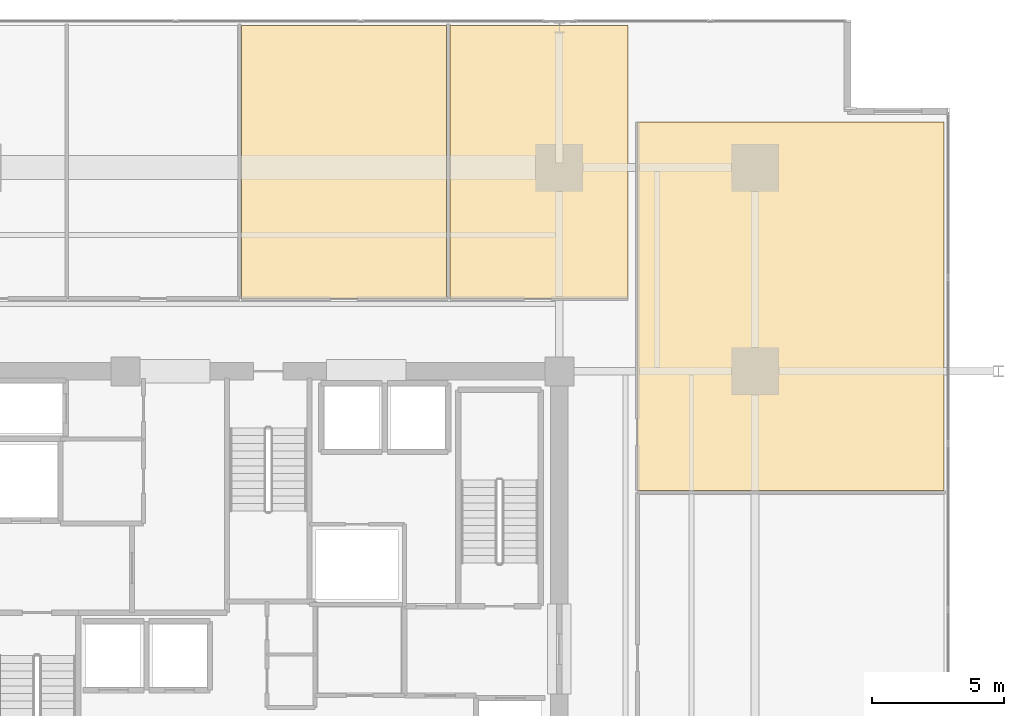
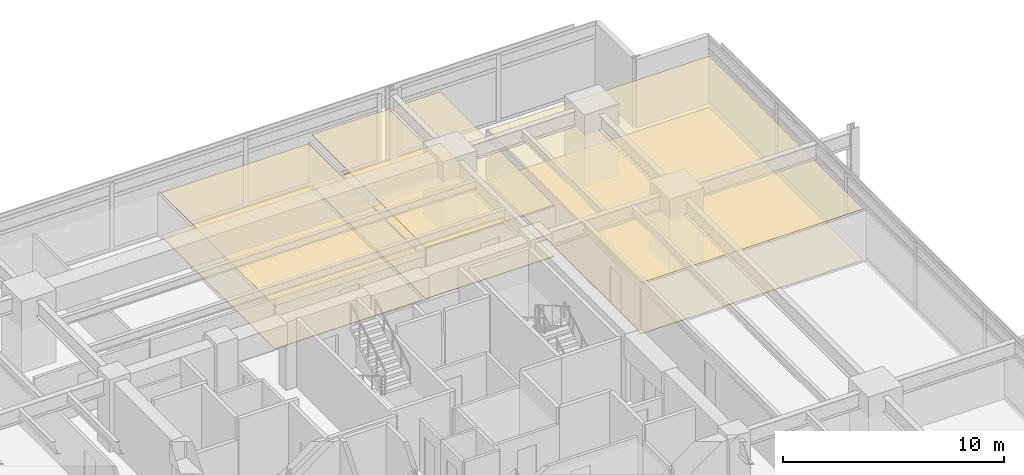
# One storey, part 23 of 23: 6 coverings.
"""IFC4 building model written with IfcOpenShell, lengths in metres."""

from ifc_helpers import new_model, si_unit, direction, frame, origin, place, context, subcontext, project, spatial, polyline, outline, extrude, material, layer, layer_set, type_object, element, save


model = new_model("IFC4")

# Units and contexts
model_context = context("Model", 3, precision=1e-05, world=origin(), true_north=direction((0.0, 1.0)))
body_context = subcontext(model_context, "Body", "Model", "MODEL_VIEW")
ifc_project = project(units=[si_unit("LENGTHUNIT", "METRE"), si_unit("AREAUNIT", "SQUARE_METRE"), si_unit("VOLUMEUNIT", "CUBIC_METRE"), si_unit("PLANEANGLEUNIT", "RADIAN"), si_unit("MASSUNIT", "GRAM", prefix="KILO")], contexts=[model_context])

# Site, building, storey
site_placement = place(None, origin())
site = spatial("IfcSite", under=ifc_project, at=site_placement, CompositionType="ELEMENT")
building_placement = place(site_placement, origin())
building = spatial("IfcBuilding", under=site, at=building_placement, Name="Kovane Verandah Tower", CompositionType="ELEMENT")
storey_placement = place(building_placement, frame((0.0, 0.0, 55.60009765625)))
storey = spatial("IfcBuildingStorey", under=building, at=storey_placement, Name="L12", CompositionType="ELEMENT", Elevation=55.60009765625)

# Coverings
ifc_material_1 = material(Name="Perforated Acoustic Mineral-Fibre Ceiling Tile", Category="gypsum")
ifc_layer_1 = layer(ifc_material_1, 0.02490234375)
ifc_layer_set_1 = layer_set([ifc_layer_1], Name="Perforated Acoustic Mineral-Fibre Ceiling Tile")
covering_type_1 = type_object("IfcCoveringType", Name="CV-CEIL-25", PredefinedType="CEILING", material=ifc_layer_set_1)
covering_1_placement = place(storey_placement, frame((0.0, 0.0, 2.364990234375)))
element("IfcCovering", 1, at=covering_1_placement, inside=storey, type_object=covering_type_1, Name="L12 Focus Studio N3 Acoustic Ceiling", PredefinedType="CEILING", context=body_context, shape_type="SweptSolid", body=[
    extrude(outline(polyline([(38.98193359375, 39.25), (46.72998046875, 39.25), (46.72998046875, 49.5771484375), (38.98193359375, 49.5771484375), (38.98193359375, 39.25)])), origin(), (0.0, 0.0, 1.0), 0.02490234375),
])
covering_2_placement = place(storey_placement, frame((0.0, 0.0, 2.824951171875)))
element("IfcCovering", 2, at=covering_2_placement, inside=storey, type_object=covering_type_1, Name="L12 Breakout Pantry N4 Acoustic Ceiling", PredefinedType="CEILING", context=body_context, shape_type="SweptSolid", body=[
    extrude(outline(polyline([(46.8701171875, 39.25), (53.60009765625, 39.25), (53.60009765625, 49.5771484375), (46.8701171875, 49.5771484375), (46.8701171875, 39.25)])), origin(), (0.0, 0.0, 1.0), 0.02490234375),
])
covering_3_placement = place(storey_placement, frame((0.0, 0.0, 2.824951171875)))
element("IfcCovering", 3, at=covering_3_placement, inside=storey, type_object=covering_type_1, Name="L12 Focus Studio E3 Acoustic Ceiling", PredefinedType="CEILING", context=body_context, shape_type="SweptSolid", body=[
    extrude(outline(polyline([(53.949951171875, 31.992431640625), (65.5458984375, 31.992431640625), (65.5458984375, 45.92724609375), (53.949951171875, 45.92724609375), (53.949951171875, 31.992431640625)])), origin(), (0.0, 0.0, 1.0), 0.02490234375),
])
ifc_material_2 = material(Name="Polished Terrazzo and Raised-Access Carpet Tile Finish", Category="concrete")
ifc_layer_2 = layer(ifc_material_2, 0.030029296875)
ifc_layer_set_2 = layer_set([ifc_layer_2], Name="Polished Terrazzo and Raised-Access Carpet Tile Finish")
covering_type_2 = type_object("IfcCoveringType", Name="CV-FLOR-30", PredefinedType="FLOORING", material=ifc_layer_set_2)
covering_4_placement = place(storey_placement, origin())
element("IfcCovering", 4, at=covering_4_placement, inside=storey, type_object=covering_type_2, Name="L12 Focus Studio N3 Floor Finish", PredefinedType="FLOORING", context=body_context, shape_type="SweptSolid", body=[
    extrude(outline(polyline([(38.98193359375, 39.25), (46.72998046875, 39.25), (46.72998046875, 49.5771484375), (38.98193359375, 49.5771484375), (38.98193359375, 39.25)])), origin(), (0.0, 0.0, 1.0), 0.02978515625),
])
covering_5_placement = place(storey_placement, origin())
element("IfcCovering", 5, at=covering_5_placement, inside=storey, type_object=covering_type_2, Name="L12 Breakout Pantry N4 Floor Finish", PredefinedType="FLOORING", context=body_context, shape_type="SweptSolid", body=[
    extrude(outline(polyline([(46.8701171875, 39.25), (53.60009765625, 39.25), (53.60009765625, 49.5771484375), (46.8701171875, 49.5771484375), (46.8701171875, 39.25)])), origin(), (0.0, 0.0, 1.0), 0.02978515625),
])
covering_6_placement = place(storey_placement, origin())
element("IfcCovering", 6, at=covering_6_placement, inside=storey, type_object=covering_type_2, Name="L12 Focus Studio E3 Floor Finish", PredefinedType="FLOORING", context=body_context, shape_type="SweptSolid", body=[
    extrude(outline(polyline([(53.949951171875, 31.992431640625), (65.5458984375, 31.992431640625), (65.5458984375, 45.92724609375), (53.949951171875, 45.92724609375), (53.949951171875, 31.992431640625)])), origin(), (0.0, 0.0, 1.0), 0.02978515625),
])

save(model, "model.ifc")
